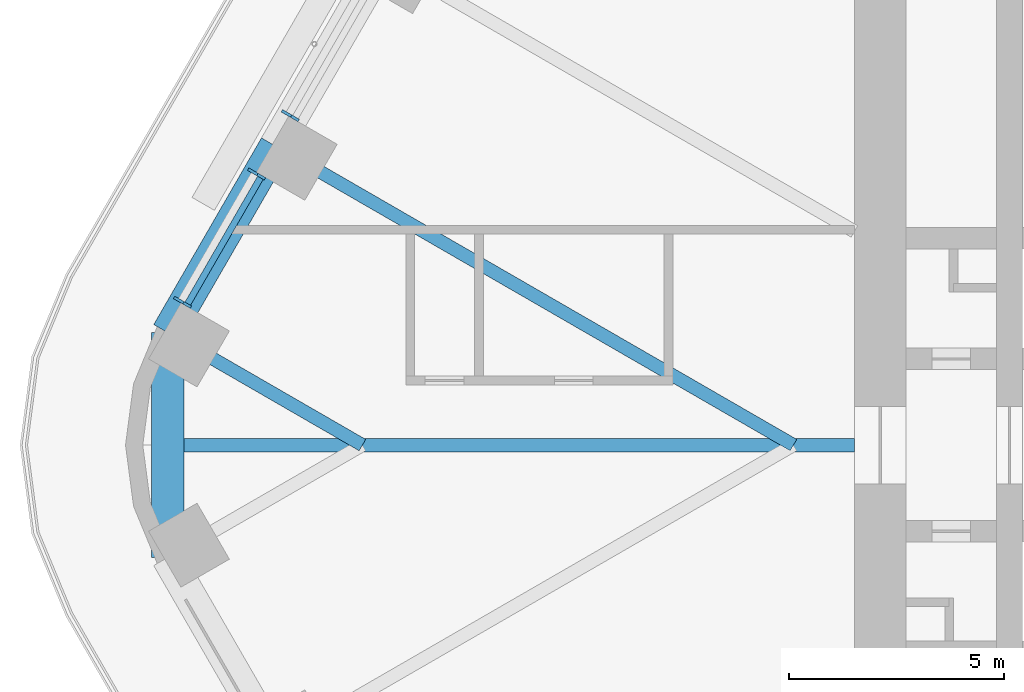
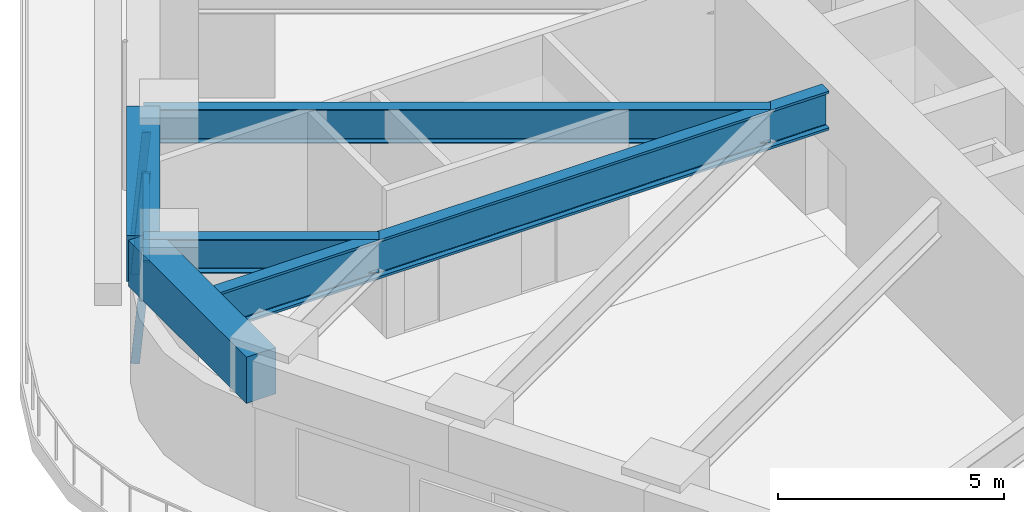
# One storey, part 6 of 24: 5 beams, 4 members, 2 elements without a shape of their own.
"""IFC4 building model written with IfcOpenShell, lengths in metres."""

from ifc_helpers import new_model, si_unit, direction, frame, origin, origin_2d, place, context, subcontext, project, spatial, rectangle, i_section, extrude, material, material_profile, profile_set, type_object, element, aggregate, save


model = new_model("IFC4")

# Units and contexts
model_context = context("Model", 3, precision=1e-05, world=origin(), true_north=direction((0.0, 1.0)))
body_context = subcontext(model_context, "Body", "Model", "MODEL_VIEW")
ifc_project = project(units=[si_unit("LENGTHUNIT", "METRE"), si_unit("AREAUNIT", "SQUARE_METRE"), si_unit("VOLUMEUNIT", "CUBIC_METRE"), si_unit("PLANEANGLEUNIT", "RADIAN"), si_unit("MASSUNIT", "GRAM", prefix="KILO")], contexts=[model_context])

# Site, building, storey
site_placement = place(None, origin())
site = spatial("IfcSite", under=ifc_project, at=site_placement, CompositionType="ELEMENT")
building_placement = place(site_placement, origin())
building = spatial("IfcBuilding", under=site, at=building_placement, Name="Tarfa Lantern Tower", CompositionType="ELEMENT")
storey_placement = place(building_placement, frame((0.0, 0.0, 195.10009765625)))
storey = spatial("IfcBuildingStorey", under=building, at=storey_placement, Name="L44", CompositionType="ELEMENT", Elevation=195.10009765625)

# Curtain wall, member
ifc_material_1 = material(Name="Aluminium framed curtain wall", Category="aluminium")
curtain_wall_type = type_object("IfcCurtainWallType", Name="CW2 CANTED GLAZING MID ZONE 2750", PredefinedType="USERDEFINED", material=ifc_material_1)
curtain_wall_1_placement = place(storey_placement, origin())
curtain_wall_1 = element("IfcCurtainWall", 1, at=curtain_wall_1_placement, inside=storey, type_object=curtain_wall_type, Name="CW2 NWB L44", ObjectType="CURTAIN WALL", PredefinedType="USERDEFINED")
ifc_material_2 = material(Name="Aluminium mullion", Category="aluminium")
ifc_material_profile_1 = material_profile(ifc_material_2, rectangle(XDim=0.06494140625, YDim=0.199951171875, at=origin_2d()), Name="AL MULLION 65x200")
ifc_profile_set_1 = profile_set([ifc_material_profile_1], Name="Aluminium mullion")
member_type_1 = type_object("IfcMemberType", Name="CWM1 MULLION 65x200", PredefinedType="MULLION", material=ifc_profile_set_1)
member_1_placement = place(storey_placement, frame((-31.8056640625, 7.7109375, 0.0), z_axis=(0.078422950161, -0.045267813396, 0.995891894715), x_axis=(0.499919672301, 0.866071776036, 0.0)))
member_1 = element("IfcMember", 2, at=member_1_placement, type_object=member_type_1, Name="CW2 mullion 2", PredefinedType="MULLION", context=body_context, shape_type="SweptSolid", body=[
    extrude(rectangle(XDim=0.06494140625, YDim=0.199951171875, at=origin_2d()), origin(), (0.0, 0.0, 1.0), 2.76123046875),
])
aggregate(curtain_wall_1, [member_1])

# Curtain wall, members
curtain_wall_2_placement = place(storey_placement, origin())
curtain_wall_2 = element("IfcCurtainWall", 3, at=curtain_wall_2_placement, inside=storey, type_object=curtain_wall_type, Name="CW2 NWB L44", ObjectType="CURTAIN WALL", PredefinedType="USERDEFINED")
member_2_placement = place(storey_placement, frame((-32.588134765625, 6.355712890625, 0.0), z_axis=(0.078422950161, -0.045267813396, 0.995891894715), x_axis=(0.499919672301, 0.866071776036, 0.0)))
member_2 = element("IfcMember", 4, at=member_2_placement, type_object=member_type_1, Name="CW2 mullion 1", PredefinedType="MULLION", context=body_context, shape_type="SweptSolid", body=[
    extrude(rectangle(XDim=0.06494140625, YDim=0.199951171875, at=origin_2d()), origin(), (0.0, 0.0, 1.0), 2.76123046875),
])
member_3_placement = place(storey_placement, frame((-34.3076171875, 3.377685546875, 0.0), z_axis=(0.078422950161, -0.045267813396, 0.995891894715), x_axis=(0.499919672301, 0.866071776036, 0.0)))
member_3 = element("IfcMember", 5, at=member_3_placement, type_object=member_type_1, Name="CW2 mullion 2", PredefinedType="MULLION", context=body_context, shape_type="SweptSolid", body=[
    extrude(rectangle(XDim=0.06494140625, YDim=0.199951171875, at=origin_2d()), origin(), (0.0, 0.0, 1.0), 2.76123046875),
])
ifc_material_3 = material(Name="Aluminium transom", Category="aluminium")
ifc_material_profile_2 = material_profile(ifc_material_3, rectangle(XDim=0.14990234375, YDim=0.06494140625, at=origin_2d()), Name="AL TRANSOM 150x65")
ifc_profile_set_2 = profile_set([ifc_material_profile_2], Name="Aluminium transom")
member_type_2 = type_object("IfcMemberType", Name="CWT1 TRANSOM 150x65", PredefinedType="USERDEFINED", material=ifc_profile_set_2)
member_4_placement = place(storey_placement, frame((-32.390380859375, 6.2041015625, 2.71728515625), z_axis=(-0.500014760403, -0.866016881694, 0.0), x_axis=(0.866016881694, -0.500014760403, 0.0)))
member_4 = element("IfcMember", 6, at=member_4_placement, type_object=member_type_2, Name="CW2 transom 1.2", ObjectType="TRANSOM", PredefinedType="USERDEFINED", context=body_context, shape_type="SweptSolid", body=[
    extrude(rectangle(XDim=0.14990234375, YDim=0.06494140625, at=origin_2d()), origin(), (0.0, 0.0, 1.0), 3.3740234375),
])
aggregate(curtain_wall_2, [member_2, member_3, member_4])

# Beams
ifc_material_4 = material(Name="Concrete C80/95", Category="concrete")
ifc_material_profile_3 = material_profile(ifc_material_4, rectangle(XDim=0.75, YDim=1.25, at=origin_2d()), Name="RC 750x1250")
ifc_profile_set_3 = profile_set([ifc_material_profile_3], Name="Concrete C80/95")
beam_type_1 = type_object("IfcBeamType", Name="EB2 RC 750x1250", PredefinedType="SPANDREL", material=ifc_profile_set_3)
beam_1_placement = place(storey_placement, frame((-32.041015625, 6.943359375, 3.375), z_axis=(-0.500022324899, -0.866012514114, 0.0), x_axis=(0.866012514114, -0.500022324899, 0.0)))
element("IfcBeam", 7, at=beam_1_placement, inside=storey, type_object=beam_type_1, Name="Edge beam NW5", PredefinedType="SPANDREL", context=body_context, shape_type="SweptSolid", body=[
    extrude(rectangle(XDim=0.75, YDim=1.25, at=origin_2d()), origin(), (0.0, 0.0, 1.0), 5.003662109375),
])
beam_2_placement = place(storey_placement, frame((-34.54296875, 2.610107421875, 3.375), z_axis=(0.0, -1.0, 0.0), x_axis=(1.0, 0.0, 0.0)))
element("IfcBeam", 8, at=beam_2_placement, inside=storey, type_object=beam_type_1, Name="Edge beam NW6", PredefinedType="SPANDREL", context=body_context, shape_type="SweptSolid", body=[
    extrude(rectangle(XDim=0.75, YDim=1.25, at=origin_2d()), origin(), (0.0, 0.0, 1.0), 5.22021484375),
])
ifc_material_5 = material(Name="Steel S460M", Category="steel")
ifc_material_profile_4 = material_profile(ifc_material_5, i_section(OverallWidth=0.314208984375, OverallDepth=1.055908203125, WebThickness=0.035888671875, FlangeThickness=0.06396484375, FilletRadius=0.030029296875, at=origin_2d()), Name="UB1016x305x584")
ifc_profile_set_4 = profile_set([ifc_material_profile_4], Name="Steel S460M")
beam_type_2 = type_object("IfcBeamType", Name="UB1016x305x584", PredefinedType="BEAM", material=ifc_profile_set_4)
beam_3_placement = place(storey_placement, frame((-18.60009765625, 0.0, 3.471923828125), z_axis=(-1.0, 0.0, 0.0), x_axis=(0.0, -1.0, 0.0)))
element("IfcBeam", 9, at=beam_3_placement, inside=storey, type_object=beam_type_2, Name="Hip girder W", PredefinedType="BEAM", context=body_context, shape_type="SweptSolid", body=[
    extrude(i_section(OverallWidth=0.314208984375, OverallDepth=1.055908203125, WebThickness=0.035888671875, FlangeThickness=0.06396484375, FilletRadius=0.030029296875, at=origin_2d()), origin(), (0.0, 0.0, 1.0), 15.94287109375),
])
ifc_material_profile_5 = material_profile(ifc_material_5, i_section(OverallWidth=0.305419921875, OverallDepth=0.91845703125, WebThickness=0.017333984375, FlangeThickness=0.02783203125, FilletRadius=0.01904296875, at=origin_2d()), Name="UB914x305x253")
ifc_profile_set_5 = profile_set([ifc_material_profile_5], Name="Steel S460M")
beam_type_3 = type_object("IfcBeamType", Name="UB914x305x253", PredefinedType="BEAM", material=ifc_profile_set_5)
beam_4_placement = place(storey_placement, frame((-32.041015625, 6.943359375, 3.540771484375), z_axis=(0.866023096411, -0.500003996466, 0.0), x_axis=(0.500003996466, 0.866023096411, 0.0)))
element("IfcBeam", 10, at=beam_4_placement, inside=storey, type_object=beam_type_3, Name="Floor beam NW5", PredefinedType="BEAM", context=body_context, shape_type="SweptSolid", body=[
    extrude(i_section(OverallWidth=0.305419921875, OverallDepth=0.91845703125, WebThickness=0.017333984375, FlangeThickness=0.02783203125, FilletRadius=0.01904296875, at=origin_2d()), origin(), (0.0, 0.0, 1.0), 13.88671875),
])
beam_5_placement = place(storey_placement, frame((-34.54296875, 2.610107421875, 3.540771484375), z_axis=(0.866021250859, -0.500007193008, 0.0), x_axis=(0.500007193008, 0.866021250859, 0.0)))
element("IfcBeam", 11, at=beam_5_placement, inside=storey, type_object=beam_type_3, Name="Floor beam NW6", PredefinedType="BEAM", context=body_context, shape_type="SweptSolid", body=[
    extrude(i_section(OverallWidth=0.305419921875, OverallDepth=0.91845703125, WebThickness=0.017333984375, FlangeThickness=0.02783203125, FilletRadius=0.01904296875, at=origin_2d()), origin(), (0.0, 0.0, 1.0), 5.22021484375),
])

save(model, "model.ifc")
